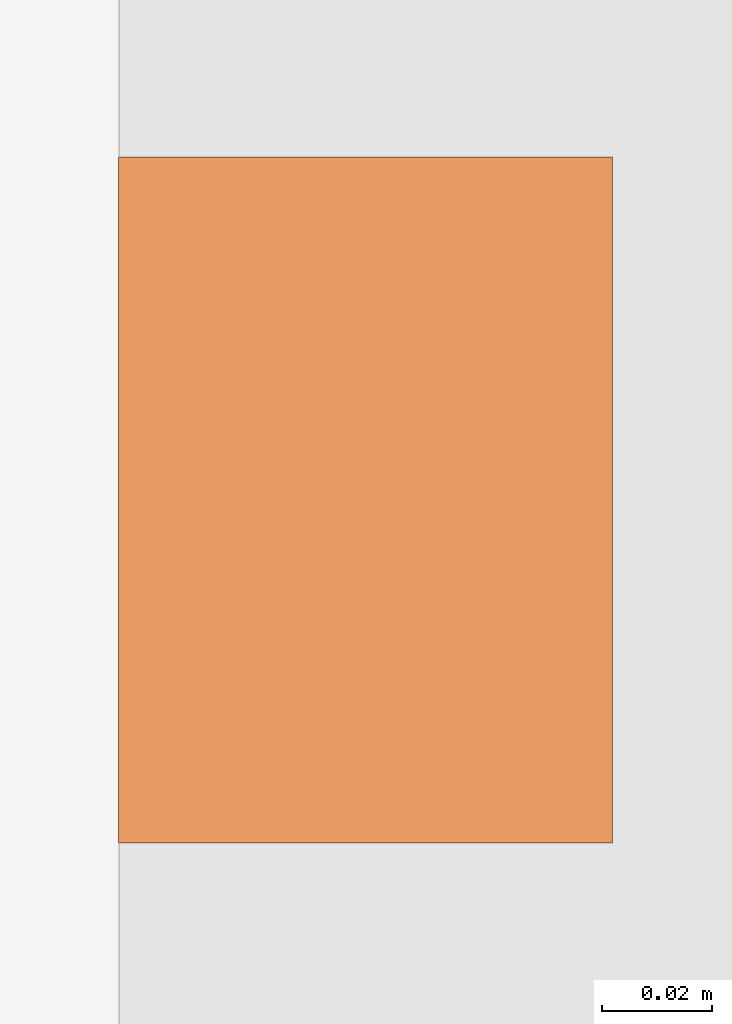
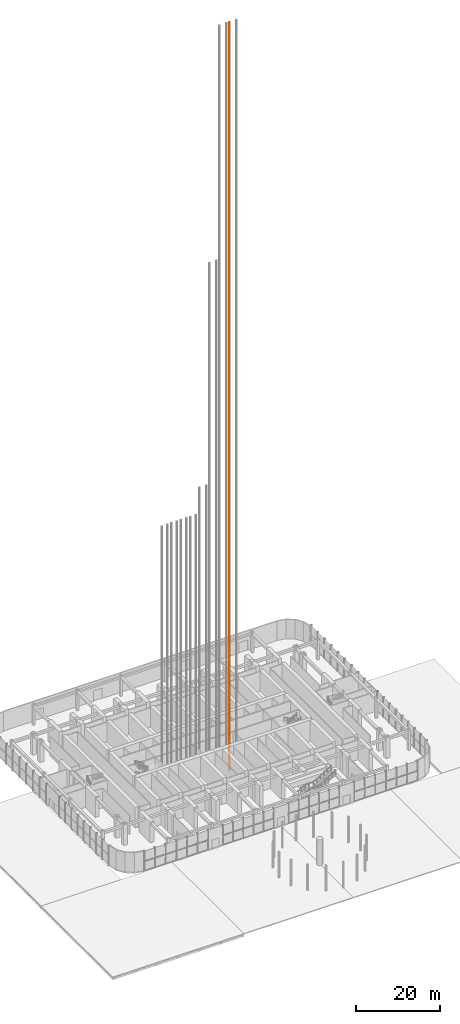
# One storey, part 56 of 57: 1 proxy.
"""IFC4 building model written with IfcOpenShell, lengths in metres."""

from ifc_helpers import new_model, si_unit, direction, frame, origin, origin_2d, place, context, subcontext, project, spatial, rectangle, extrude, material, element, save


model = new_model("IFC4")

# Units and contexts
model_context = context("Model", 3, precision=1e-05, world=origin(), true_north=direction((0.0, 1.0)))
body_context = subcontext(model_context, "Body", "Model", "MODEL_VIEW")
ifc_project = project(units=[si_unit("LENGTHUNIT", "METRE"), si_unit("AREAUNIT", "SQUARE_METRE"), si_unit("VOLUMEUNIT", "CUBIC_METRE"), si_unit("PLANEANGLEUNIT", "RADIAN"), si_unit("MASSUNIT", "GRAM", prefix="KILO")], contexts=[model_context])

# Site, building, storey
site_placement = place(None, origin())
site = spatial("IfcSite", under=ifc_project, at=site_placement, CompositionType="ELEMENT")
building_placement = place(site_placement, origin())
building = spatial("IfcBuilding", under=site, at=building_placement, Name="Orbita Commons", CompositionType="ELEMENT")
storey_placement = place(building_placement, origin())
storey = spatial("IfcBuildingStorey", under=building, at=storey_placement, Name="L00", CompositionType="ELEMENT", Elevation=0.0)

# Proxy
ifc_material = material(Name="Machined steel guide rail", Category="steel")
placement = place(storey_placement, frame((46.02490234375, 28.10009765625, 0.0), z_axis=(0.0, 0.0, 1.0), x_axis=(1.0, 0.0, 0.0)))
proxy_placement = place(placement, frame((-0.955078125, 0.0, -3.199951171875)))
element("IfcBuildingElementProxy", 1, at=proxy_placement, inside=storey, material=ifc_material, Name="SH32 guide rail 1", ObjectType="GUIDE RAIL", PredefinedType="USERDEFINED", context=body_context, shape_type="SweptSolid", body=[
    extrude(rectangle(XDim=0.09, YDim=0.125, at=origin_2d()), origin(), (0.0, 0.0, 1.0), 217.0),
])

save(model, "model.ifc")
